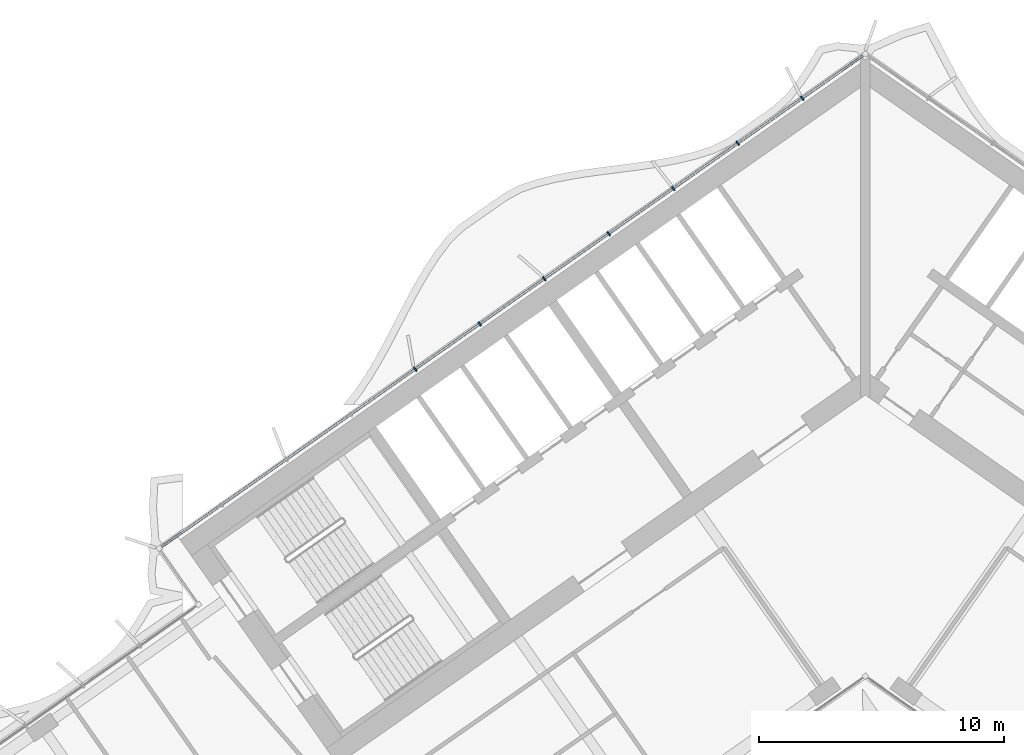
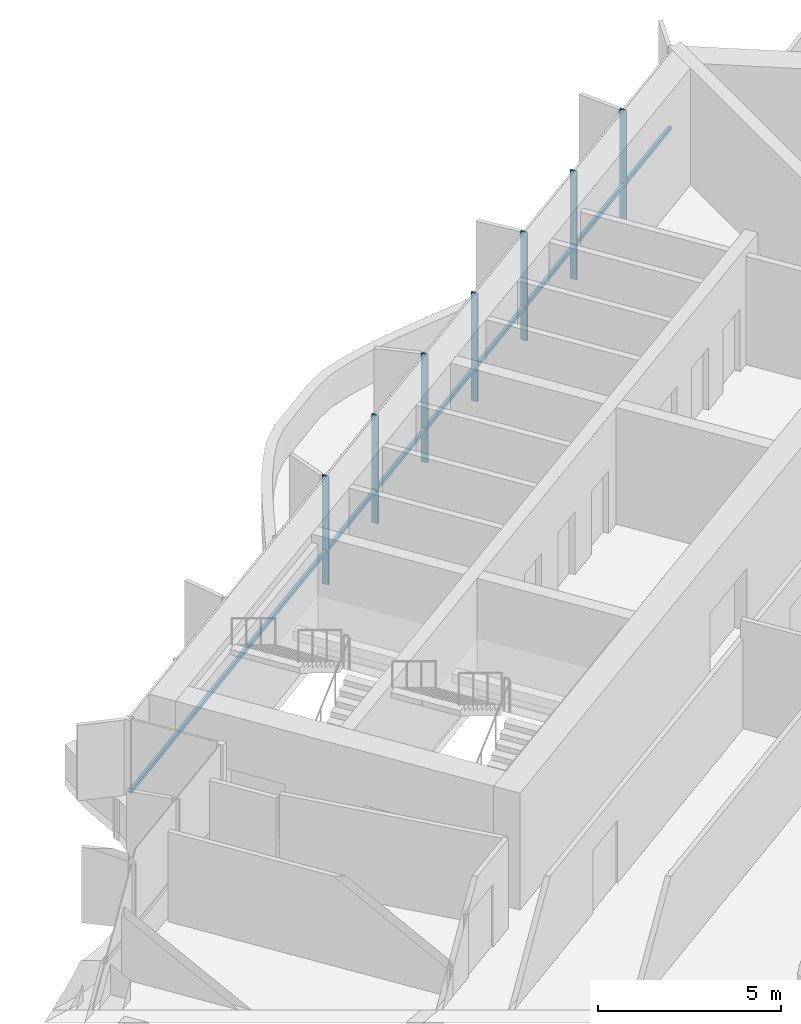
# One storey, part 7 of 21: 8 members, 1 element without a shape of its own.
"""IFC4 building model written with IfcOpenShell, lengths in metres."""

import ifcopenshell
import ifcopenshell.guid

model = None  # the IFC model being written
_history = None  # IfcOwnerHistory: only IFC2X3 demands one
_inside = {}  # id of a spatial element -> (the spatial element, [elements in it])
_under = {}  # id of a project, library or spatial element -> (it, [spatial elements below it])
_declared = {}  # id of a project -> (the project, [libraries it declares])
_typed = {}  # id of a type object -> (the type object, [elements of that type])
_made_of = {}  # id of a material, layer set ... -> (it, [elements and type objects made of it])


def new_model(schema):
    """Start an empty IFC model of exactly this schema.

    Asked for "IFC4X3", IfcOpenShell would pick the latest addendum, in which some entities
    have other attributes; the version numbers below select the first issue.
    IFC2X3 requires an IfcOwnerHistory on every rooted entity: one is made here for all.
    """
    global model, _history
    if schema == "IFC4X3":
        model = ifcopenshell.file(schema_version=(4, 3, 0, 0))
    else:
        model = ifcopenshell.file(schema=schema)
    _inside.clear()
    _under.clear()
    _declared.clear()
    _typed.clear()
    _made_of.clear()
    _history = None
    if model.schema == "IFC2X3":
        org = make("IfcOrganization", Name="unknown")
        user = make(
            "IfcPersonAndOrganization",
            ThePerson=make("IfcPerson", FamilyName="unknown"),
            TheOrganization=org,
        )
        app = make(
            "IfcApplication",
            ApplicationDeveloper=org,
            Version="unknown",
            ApplicationFullName="unknown",
            ApplicationIdentifier="unknown",
        )
        _history = make(
            "IfcOwnerHistory",
            OwningUser=user,
            OwningApplication=app,
            ChangeAction="ADDED",
            CreationDate=0,
        )
    return model


def make(cls, **values):
    """One entity of the class cls with the attributes given. An attribute that is None is left unset."""
    return model.create_entity(
        cls, **{name: value for name, value in values.items() if value is not None}
    )


def rooted(cls, **values):
    """An entity with a GlobalId (a new one), such as an element, a storey or a relation."""
    return make(cls, GlobalId=ifcopenshell.guid.new(), OwnerHistory=_history, **values)


def si_unit(unit_type, name, prefix=None):
    """IfcSIUnit, for example si_unit("LENGTHUNIT", "METRE", prefix="MILLI")."""
    return make("IfcSIUnit", UnitType=unit_type, Prefix=prefix, Name=name)


def assignment(units):
    """IfcUnitAssignment: the units of a project."""
    return None if units is None else make("IfcUnitAssignment", Units=units)


def point(xyz):
    """IfcCartesianPoint."""
    return None if xyz is None else make("IfcCartesianPoint", Coordinates=xyz)


def direction(xyz):
    """IfcDirection."""
    return None if xyz is None else make("IfcDirection", DirectionRatios=xyz)


def frame(location, z_axis=None, x_axis=None):
    """IfcAxis2Placement3D, a coordinate frame: its origin and axes. An axis left out is left unset."""
    return make(
        "IfcAxis2Placement3D",
        Location=point(location),
        Axis=direction(z_axis),
        RefDirection=direction(x_axis),
    )


def frame_2d(location, x_axis=None):
    """IfcAxis2Placement2D, a coordinate frame in the plane: its origin and x axis."""
    return make(
        "IfcAxis2Placement2D", Location=point(location), RefDirection=direction(x_axis)
    )


def origin():
    """The frame at (0, 0, 0) with its axes left unset."""
    return frame((0.0, 0.0, 0.0))


def origin_2d():
    """The frame at (0, 0) in the plane with its x axis left unset."""
    return frame_2d((0.0, 0.0))


def place(relative_to, where):
    """IfcLocalPlacement: puts the frame where relative to a parent placement (None: the world)."""
    return make(
        "IfcLocalPlacement", PlacementRelTo=relative_to, RelativePlacement=where
    )


def context(
    kind, dimensions, precision=None, world=None, true_north=None, identifier=None
):
    """IfcGeometricRepresentationContext, for example the 3D "Model" context."""
    return make(
        "IfcGeometricRepresentationContext",
        ContextIdentifier=identifier,
        ContextType=kind,
        CoordinateSpaceDimension=dimensions,
        Precision=precision,
        WorldCoordinateSystem=world,
        TrueNorth=true_north,
    )


def subcontext(parent, identifier, kind, view, scale=None):
    """IfcGeometricRepresentationSubContext, for example "Body" below "Model"."""
    return make(
        "IfcGeometricRepresentationSubContext",
        ContextIdentifier=identifier,
        ContextType=kind,
        ParentContext=parent,
        TargetScale=scale,
        TargetView=view,
    )


def project(units=None, contexts=None):
    """IfcProject with its units and contexts."""
    return rooted(
        "IfcProject",
        Name="project",
        RepresentationContexts=contexts,
        UnitsInContext=assignment(units),
    )


def spatial(cls, under=None, at=None, **own):
    """A site, building, storey or space (cls), placed at a placement, below another one or the project."""
    s = rooted(cls, ObjectPlacement=at, **own)
    if under is not None:
        _under.setdefault(under.id(), (under, []))[1].append(s)
    return s


def profile(cls, at=None, kind="AREA", **sizes):
    """A parametric profile (cls). Its sizes go by their IFC names, for example OverallWidth=200.0."""
    return make(cls, ProfileType=kind, Position=at, **sizes)


def rectangle(**sizes):
    """IfcRectangleProfileDef."""
    return profile("IfcRectangleProfileDef", **sizes)


def extrude(swept, where, along, depth):
    """IfcExtrudedAreaSolid: the profile swept, set in the frame where, extruded along a direction by depth."""
    return make(
        "IfcExtrudedAreaSolid",
        SweptArea=swept,
        Position=where,
        ExtrudedDirection=direction(along),
        Depth=depth,
    )


def shape(context_of_items, identifier, shape_type, items):
    """IfcShapeRepresentation: the items that make up one representation, for example the "Body"."""
    return make(
        "IfcShapeRepresentation",
        ContextOfItems=context_of_items,
        RepresentationIdentifier=identifier,
        RepresentationType=shape_type,
        Items=items,
    )


def material(Name=None, Category=None):
    """IfcMaterial."""
    return make("IfcMaterial", Name=Name, Category=Category)


def material_profile(
    of_material, cross_section, Name=None, Category=None, Priority=None
):
    """IfcMaterialProfile: a cross section and its material."""
    return make(
        "IfcMaterialProfile",
        Name=Name,
        Material=of_material,
        Profile=cross_section,
        Priority=Priority,
        Category=Category,
    )


def profile_set(profiles, Name=None, composite=None):
    """IfcMaterialProfileSet."""
    return make(
        "IfcMaterialProfileSet",
        Name=Name,
        MaterialProfiles=profiles,
        CompositeProfile=composite,
    )


def made_of(thing, what):
    """Note that an element or type object is made of a material, layer set ...; save() writes the relation."""
    if what is not None:
        _made_of.setdefault(what.id(), (what, []))[1].append(thing)
    return thing


def type_object(cls, material=None, **own):
    """A type object (cls), such as IfcWallType, which elements share."""
    return made_of(rooted(cls, **own), material)


def element(
    cls,
    number,
    at=None,
    inside=None,
    cuts=None,
    type_object=None,
    material=None,
    context=None,
    identifier="Body",
    shape_type=None,
    held_by="IfcProductDefinitionShape",
    body=None,
    shapes=None,
    **own,
):
    """One element of the class cls, such as IfcWall. Its Tag is "e" and its number.

    at: its placement. inside: the storey or other place that contains it. cuts: it is an
    opening in that element (IfcRelVoidsElement). A single representation is given by context,
    identifier, shape_type and body (its items); several are given by shapes. held_by: the class
    of the entity that holds the representations. save() writes the other relations.
    """
    e = rooted(cls, Tag="e%d" % number, ObjectPlacement=at, **own)
    if body is not None:
        shapes = [shape(context, identifier, shape_type, body)]
    if shapes is not None:
        e.Representation = make(held_by, Representations=shapes)
    if inside is not None:
        _inside.setdefault(inside.id(), (inside, []))[1].append(e)
    if cuts is not None:
        rooted(
            "IfcRelVoidsElement", RelatingBuildingElement=cuts, RelatedOpeningElement=e
        )
    if type_object is not None:
        _typed.setdefault(type_object.id(), (type_object, []))[1].append(e)
    return made_of(e, material)


def aggregate(whole, parts):
    """IfcRelAggregates: a whole, such as a stair, and the parts it consists of."""
    return rooted("IfcRelAggregates", RelatingObject=whole, RelatedObjects=parts)


def save(model, path):
    """Write the relations noted so far, then the file.

    IfcRelAggregates (storeys below a building ...), IfcRelContainedInSpatialStructure (elements
    in a storey), IfcRelDefinesByType, IfcRelAssociatesMaterial and IfcRelDeclares: one each for
    every whole, place, type object, material and project.
    """
    for whole, parts in _under.values():
        aggregate(whole, parts)
    for where, things in _inside.values():
        rooted(
            "IfcRelContainedInSpatialStructure",
            RelatedElements=things,
            RelatingStructure=where,
        )
    for kind, things in _typed.values():
        rooted("IfcRelDefinesByType", RelatedObjects=things, RelatingType=kind)
    for what, things in _made_of.values():
        rooted("IfcRelAssociatesMaterial", RelatedObjects=things, RelatingMaterial=what)
    for by, libraries in _declared.values():
        rooted("IfcRelDeclares", RelatingContext=by, RelatedDefinitions=libraries)
    model.write(path)


model = new_model("IFC4")

# Units and contexts
model_context = context("Model", 3, precision=1e-05, world=origin(), true_north=direction((0.0, 1.0)))
body_context = subcontext(model_context, "Body", "Model", "MODEL_VIEW")
ifc_project = project(units=[si_unit("LENGTHUNIT", "METRE"), si_unit("AREAUNIT", "SQUARE_METRE"), si_unit("VOLUMEUNIT", "CUBIC_METRE"), si_unit("PLANEANGLEUNIT", "RADIAN"), si_unit("MASSUNIT", "GRAM", prefix="KILO")], contexts=[model_context])

# Site, building, storey
site_placement = place(None, origin())
site = spatial("IfcSite", under=ifc_project, at=site_placement, CompositionType="ELEMENT")
building_placement = place(site_placement, origin())
building = spatial("IfcBuilding", under=site, at=building_placement, Name="Tel Ilan Convention Tower", CompositionType="ELEMENT")
storey_placement = place(building_placement, frame((0.0, 0.0, 159.300048828125)))
storey = spatial("IfcBuildingStorey", under=building, at=storey_placement, Name="L36", CompositionType="ELEMENT", Elevation=159.300048828125)

# Curtain wall, members
ifc_material_1 = material(Name="Aluminium, bronze anodised", Category="aluminium")
curtain_wall_type = type_object("IfcCurtainWallType", Name="CW2 STICK CURTAIN WALL, SPANDREL PANELS", PredefinedType="NOTDEFINED", material=ifc_material_1)
curtain_wall_placement = place(storey_placement, origin())
curtain_wall = element("IfcCurtainWall", 1, at=curtain_wall_placement, inside=storey, type_object=curtain_wall_type, Name="Curtain wall CW2-28.01", PredefinedType="NOTDEFINED")
ifc_material_2 = material(Name="Aluminium, bronze anodised", Category="aluminium")
ifc_material_profile_1 = material_profile(ifc_material_2, rectangle(XDim=0.06005859375, YDim=0.199951171875, at=origin_2d()), Name="CW MULLION 60x200")
ifc_profile_set_1 = profile_set([ifc_material_profile_1], Name="Aluminium, bronze anodised")
member_type_1 = type_object("IfcMemberType", Name="CW MULLION 60x200", PredefinedType="MULLION", material=ifc_profile_set_1)
member_1_placement = place(storey_placement, frame((-2.5751953125, 10.892822265625, 0.0), z_axis=(0.0, 0.0, 1.0), x_axis=(-0.819152044289, -0.573576436351, 0.0)))
member_1 = element("IfcMember", 2, at=member_1_placement, type_object=member_type_1, Name="Mullion", PredefinedType="MULLION", context=body_context, shape_type="SweptSolid", body=[
    extrude(rectangle(XDim=0.06005859375, YDim=0.199951171875, at=origin_2d()), origin(), (0.0, 0.0, 1.0), 3.619873046875),
])
member_2_placement = place(storey_placement, frame((-5.207763671875, 9.049560546875, 0.0), z_axis=(0.0, 0.0, 1.0), x_axis=(-0.819152044289, -0.573576436351, 0.0)))
member_2 = element("IfcMember", 3, at=member_2_placement, type_object=member_type_1, Name="Mullion", PredefinedType="MULLION", context=body_context, shape_type="SweptSolid", body=[
    extrude(rectangle(XDim=0.06005859375, YDim=0.199951171875, at=origin_2d()), origin(), (0.0, 0.0, 1.0), 3.619873046875),
])
member_3_placement = place(storey_placement, frame((-7.840576171875, 7.2060546875, 0.0), z_axis=(0.0, 0.0, 1.0), x_axis=(-0.819152044289, -0.573576436351, 0.0)))
member_3 = element("IfcMember", 4, at=member_3_placement, type_object=member_type_1, Name="Mullion", PredefinedType="MULLION", context=body_context, shape_type="SweptSolid", body=[
    extrude(rectangle(XDim=0.06005859375, YDim=0.199951171875, at=origin_2d()), origin(), (0.0, 0.0, 1.0), 3.619873046875),
])
member_4_placement = place(storey_placement, frame((-10.47314453125, 5.36279296875, 0.0), z_axis=(0.0, 0.0, 1.0), x_axis=(-0.819152044289, -0.573576436351, 0.0)))
member_4 = element("IfcMember", 5, at=member_4_placement, type_object=member_type_1, Name="Mullion", PredefinedType="MULLION", context=body_context, shape_type="SweptSolid", body=[
    extrude(rectangle(XDim=0.06005859375, YDim=0.199951171875, at=origin_2d()), origin(), (0.0, 0.0, 1.0), 3.619873046875),
])
member_5_placement = place(storey_placement, frame((-13.105712890625, 3.519287109375, 0.0), z_axis=(0.0, 0.0, 1.0), x_axis=(-0.819152044289, -0.573576436351, 0.0)))
member_5 = element("IfcMember", 6, at=member_5_placement, type_object=member_type_1, Name="Mullion", PredefinedType="MULLION", context=body_context, shape_type="SweptSolid", body=[
    extrude(rectangle(XDim=0.06005859375, YDim=0.199951171875, at=origin_2d()), origin(), (0.0, 0.0, 1.0), 3.619873046875),
])
member_6_placement = place(storey_placement, frame((-15.73828125, 1.676025390625, 0.0), z_axis=(0.0, 0.0, 1.0), x_axis=(-0.819152044289, -0.573576436351, 0.0)))
member_6 = element("IfcMember", 7, at=member_6_placement, type_object=member_type_1, Name="Mullion", PredefinedType="MULLION", context=body_context, shape_type="SweptSolid", body=[
    extrude(rectangle(XDim=0.06005859375, YDim=0.199951171875, at=origin_2d()), origin(), (0.0, 0.0, 1.0), 3.619873046875),
])
member_7_placement = place(storey_placement, frame((-18.37109375, -0.16748046875, 0.0), z_axis=(0.0, 0.0, 1.0), x_axis=(-0.819152044289, -0.573576436351, 0.0)))
member_7 = element("IfcMember", 8, at=member_7_placement, type_object=member_type_1, Name="Mullion", PredefinedType="MULLION", context=body_context, shape_type="SweptSolid", body=[
    extrude(rectangle(XDim=0.06005859375, YDim=0.199951171875, at=origin_2d()), origin(), (0.0, 0.0, 1.0), 3.619873046875),
])
ifc_material_3 = material(Name="Aluminium, bronze anodised", Category="aluminium")
ifc_material_profile_2 = material_profile(ifc_material_3, rectangle(XDim=0.10009765625, YDim=0.1201171875, at=origin_2d()), Name="CW TRANSOM 100x120")
ifc_profile_set_2 = profile_set([ifc_material_profile_2], Name="Aluminium, bronze anodised")
member_type_2 = type_object("IfcMemberType", Name="CW TRANSOM 100x120", PredefinedType="USERDEFINED", material=ifc_profile_set_2)
member_8_placement = place(storey_placement, frame((-0.1064453125, 12.62158203125, 1.099853515625), z_axis=(-0.819150201937, -0.573579067494, 0.0), x_axis=(0.573579067494, -0.819150201937, 0.0)))
member_8 = element("IfcMember", 9, at=member_8_placement, type_object=member_type_2, Name="Transom", ObjectType="TRANSOM", PredefinedType="USERDEFINED", context=body_context, shape_type="SweptSolid", body=[
    extrude(rectangle(XDim=0.10009765625, YDim=0.1201171875, at=origin_2d()), origin(), (0.0, 0.0, 1.0), 34.9521484375),
])
aggregate(curtain_wall, [member_1, member_2, member_3, member_4, member_5, member_6, member_7, member_8])

save(model, "model.ifc")
